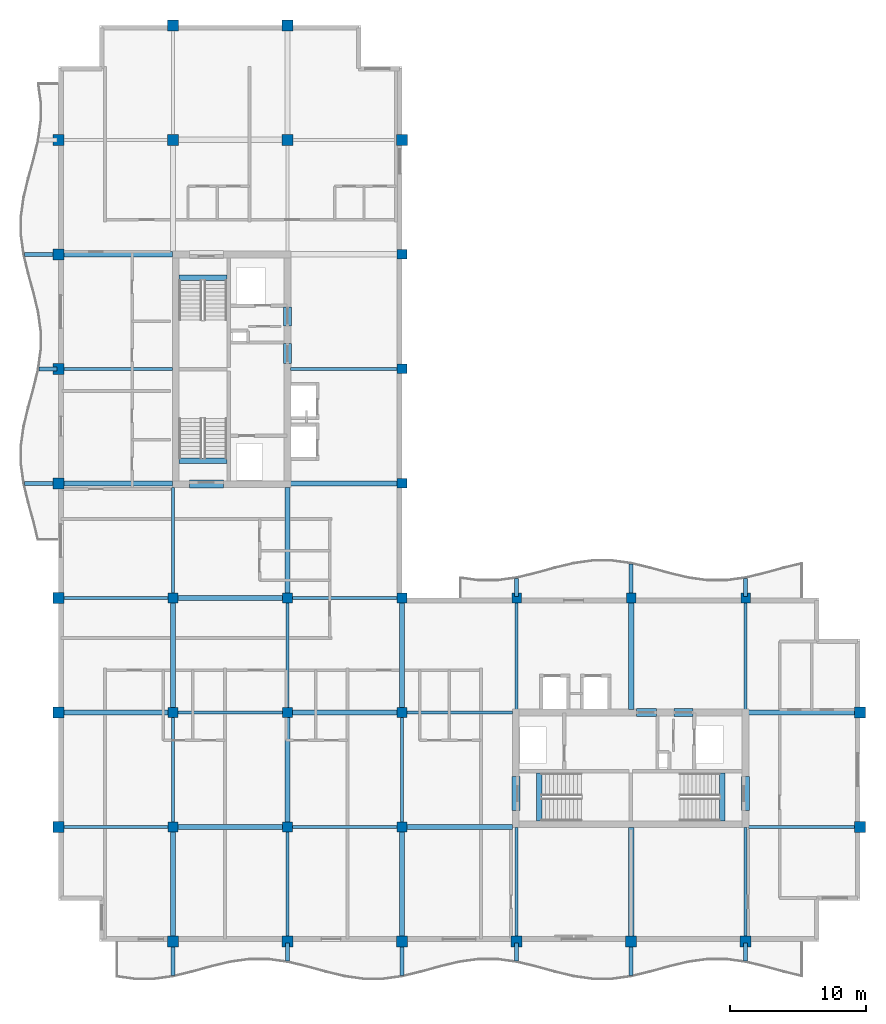
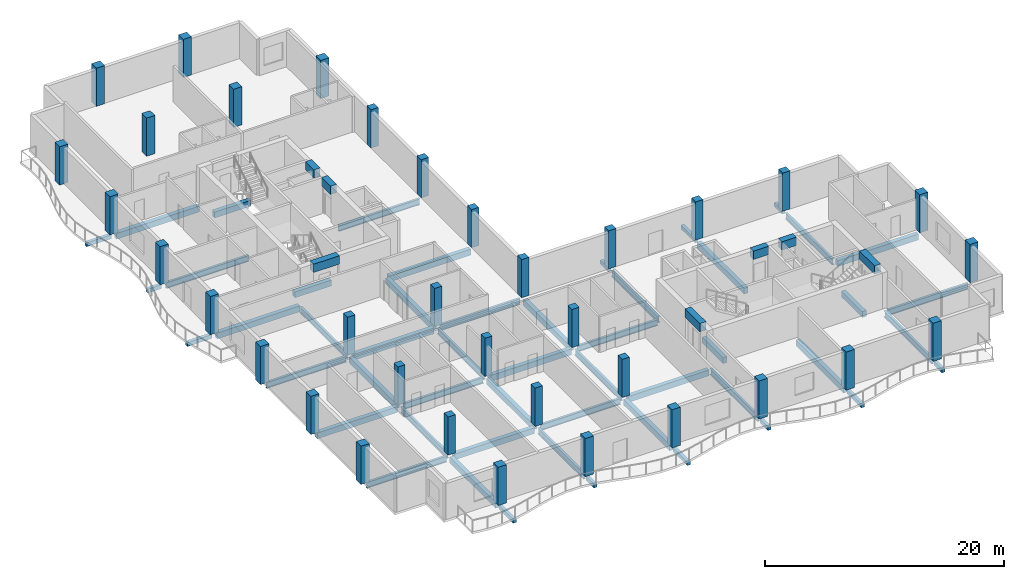
# One storey, part 1 of 10: 58 beams, 35 columns.
"""IFC4 building model written with IfcOpenShell, lengths in metres."""

from ifc_helpers import new_model, si_unit, direction, frame, origin, origin_2d, place, context, subcontext, project, spatial, rectangle, i_section, extrude, material, material_profile, profile_set, type_object, element, save


model = new_model("IFC4")

# Units and contexts
model_context = context("Model", 3, precision=1e-05, world=origin(), true_north=direction((0.0, 1.0)))
body_context = subcontext(model_context, "Body", "Model", "MODEL_VIEW")
ifc_project = project(units=[si_unit("LENGTHUNIT", "METRE"), si_unit("AREAUNIT", "SQUARE_METRE"), si_unit("VOLUMEUNIT", "CUBIC_METRE"), si_unit("PLANEANGLEUNIT", "RADIAN"), si_unit("MASSUNIT", "GRAM", prefix="KILO")], contexts=[model_context])

# Site, building, storey
site_placement = place(None, origin())
site = spatial("IfcSite", under=ifc_project, at=site_placement, CompositionType="ELEMENT")
building_placement = place(site_placement, origin())
building = spatial("IfcBuilding", under=site, at=building_placement, Name="Koriwani Terraces Tower", CompositionType="ELEMENT")
storey_placement = place(building_placement, frame((0.0, 0.0, 304.699951171875)))
storey = spatial("IfcBuildingStorey", under=building, at=storey_placement, Name="L75", CompositionType="ELEMENT", Elevation=304.699951171875)

# Columns
ifc_material_1 = material(Name="Concrete C50/60", Category="concrete")
ifc_material_profile_1 = material_profile(ifc_material_1, rectangle(XDim=0.699951171875, YDim=0.699951171875, at=origin_2d()), Name="Concrete C50/60", Category="LoadBearing")
ifc_profile_set_1 = profile_set([ifc_material_profile_1], Name="Concrete C50/60")
column_type_1 = type_object("IfcColumnType", Name="COL_RC_700X700", PredefinedType="COLUMN", material=ifc_profile_set_1)
for number, where, z_axis, x_axis, name in (
    (1, (16.800048828125, 16.800048828125, 0.0), (0.0, 0.0, 1.0), (1.0, 0.0, 0.0), "L75 Column 3/C"),
    (2, (16.800048828125, 25.199951171875, 0.0), (0.0, 0.0, 1.0), (1.0, 0.0, 0.0), "L75 Column 3/D"),
    (3, (16.800048828125, 33.60009765625, 0.0), (0.0, 0.0, 1.0), (1.0, 0.0, 0.0), "L75 Column 3/E"),
    (4, (25.199951171875, 16.800048828125, 0.0), (0.0, 0.0, 1.0), (1.0, 0.0, 0.0), "L75 Column 4/C"),
    (5, (25.199951171875, 25.199951171875, 0.0), (0.0, 0.0, 1.0), (1.0, 0.0, 0.0), "L75 Column 4/D"),
    (6, (25.199951171875, 33.60009765625, 0.0), (0.0, 0.0, 1.0), (1.0, 0.0, 0.0), "L75 Column 4/E"),
    (7, (33.60009765625, 16.800048828125, 0.0), (0.0, 0.0, 1.0), (1.0, 0.0, 0.0), "L75 Column 5/C"),
    (8, (33.60009765625, 25.199951171875, 0.0), (0.0, 0.0, 1.0), (1.0, 0.0, 0.0), "L75 Column 5/D"),
    (9, (33.60009765625, 33.60009765625, 0.0), (0.0, 0.0, 1.0), (1.0, 0.0, 0.0), "L75 Column 5/E"),
    (10, (33.60009765625, 42.0, 0.0), (0.0, 0.0, 1.0), (1.0, 0.0, 0.0), "L75 Column 5/F"),
    (11, (33.60009765625, 50.39990234375, 0.0), (0.0, 0.0, 1.0), (1.0, 0.0, 0.0), "L75 Column 5/G"),
    (12, (33.60009765625, 58.800048828125, 0.0), (0.0, 0.0, 1.0), (1.0, 0.0, 0.0), "L75 Column 5/H"),
    (13, (42.0, 33.60009765625, 0.0), (0.0, 0.0, 1.0), (1.0, 0.0, 0.0), "L75 Column 6/E"),
    (14, (50.39990234375, 33.60009765625, 0.0), (0.0, 0.0, 1.0), (1.0, 0.0, 0.0), "L75 Column 7/E"),
    (15, (58.800048828125, 33.60009765625, 0.0), (0.0, 0.0, 1.0), (1.0, 0.0, 0.0), "L75 Column 8/E"),
):
    element("IfcColumn", number, at=place(storey_placement, frame(where, z_axis=z_axis, x_axis=x_axis)), inside=storey, type_object=column_type_1, Name=name, PredefinedType="COLUMN", context=body_context, shape_type="SweptSolid", body=[
        extrude(rectangle(XDim=0.699951171875, YDim=0.699951171875, at=origin_2d()), origin(), (0.0, 0.0, 1.0), 3.900146484375),
    ])
ifc_material_profile_2 = material_profile(ifc_material_1, rectangle(XDim=0.800048828125, YDim=0.800048828125, at=origin_2d()), Name="Concrete C50/60", Category="LoadBearing")
ifc_profile_set_2 = profile_set([ifc_material_profile_2], Name="Concrete C50/60")
column_type_2 = type_object("IfcColumnType", Name="COL_RC_800X800", PredefinedType="COLUMN", material=ifc_profile_set_2)
for number, where, z_axis, x_axis, name in (
    (16, (8.39990234375, 16.800048828125, 0.0), (0.0, 0.0, 1.0), (1.0, 0.0, 0.0), "L75 Column 2/C"),
    (17, (8.39990234375, 25.199951171875, 0.0), (0.0, 0.0, 1.0), (1.0, 0.0, 0.0), "L75 Column 2/D"),
    (18, (8.39990234375, 33.60009765625, 0.0), (0.0, 0.0, 1.0), (1.0, 0.0, 0.0), "L75 Column 2/E"),
    (19, (8.39990234375, 42.0, 0.0), (0.0, 0.0, 1.0), (1.0, 0.0, 0.0), "L75 Column 2/F"),
    (20, (8.39990234375, 50.39990234375, 0.0), (0.0, 0.0, 1.0), (1.0, 0.0, 0.0), "L75 Column 2/G"),
    (21, (8.39990234375, 58.800048828125, 0.0), (0.0, 0.0, 1.0), (1.0, 0.0, 0.0), "L75 Column 2/H"),
    (22, (8.39990234375, 67.199951171875, 0.0), (0.0, 0.0, 1.0), (1.0, 0.0, 0.0), "L75 Column 2/I"),
    (23, (16.800048828125, 8.39990234375, 0.0), (0.0, 0.0, 1.0), (1.0, 0.0, 0.0), "L75 Column 3/B"),
    (24, (16.800048828125, 67.199951171875, 0.0), (0.0, 0.0, 1.0), (1.0, 0.0, 0.0), "L75 Column 3/I"),
    (25, (16.800048828125, 75.60009765625, 0.0), (0.0, 0.0, 1.0), (1.0, 0.0, 0.0), "L75 Column 3/J"),
    (26, (25.199951171875, 8.39990234375, 0.0), (0.0, 0.0, 1.0), (1.0, 0.0, 0.0), "L75 Column 4/B"),
    (27, (25.199951171875, 67.199951171875, 0.0), (0.0, 0.0, 1.0), (1.0, 0.0, 0.0), "L75 Column 4/I"),
    (28, (25.199951171875, 75.60009765625, 0.0), (0.0, 0.0, 1.0), (1.0, 0.0, 0.0), "L75 Column 4/J"),
    (29, (33.60009765625, 8.39990234375, 0.0), (0.0, 0.0, 1.0), (1.0, 0.0, 0.0), "L75 Column 5/B"),
    (30, (33.60009765625, 67.199951171875, 0.0), (0.0, 0.0, 1.0), (1.0, 0.0, 0.0), "L75 Column 5/I"),
    (31, (42.0, 8.39990234375, 0.0), (0.0, 0.0, 1.0), (1.0, 0.0, 0.0), "L75 Column 6/B"),
    (32, (50.39990234375, 8.39990234375, 0.0), (0.0, 0.0, 1.0), (1.0, 0.0, 0.0), "L75 Column 7/B"),
    (33, (58.800048828125, 8.39990234375, 0.0), (0.0, 0.0, 1.0), (1.0, 0.0, 0.0), "L75 Column 8/B"),
    (34, (67.199951171875, 16.800048828125, 0.0), (0.0, 0.0, 1.0), (1.0, 0.0, 0.0), "L75 Column 9/C"),
    (35, (67.199951171875, 25.199951171875, 0.0), (0.0, 0.0, 1.0), (1.0, 0.0, 0.0), "L75 Column 9/D"),
):
    element("IfcColumn", number, at=place(storey_placement, frame(where, z_axis=z_axis, x_axis=x_axis)), inside=storey, type_object=column_type_2, Name=name, PredefinedType="COLUMN", context=body_context, shape_type="SweptSolid", body=[
        extrude(rectangle(XDim=0.800048828125, YDim=0.800048828125, at=origin_2d()), origin(), (0.0, 0.0, 1.0), 3.900146484375),
    ])

# Beams
ifc_material_2 = material(Name="Concrete C40/50", Category="concrete")
ifc_material_profile_3 = material_profile(ifc_material_2, rectangle(XDim=0.300048828125, YDim=0.39990234375, at=origin_2d()), Name="Concrete C40/50", Category="LoadBearing")
ifc_profile_set_3 = profile_set([ifc_material_profile_3], Name="Concrete C40/50")
beam_type_1 = type_object("IfcBeamType", Name="BEAM_RC_BALCONY_RIB_300X400", PredefinedType="JOIST", material=ifc_profile_set_3)
beam_1_placement = place(storey_placement, frame((16.800048828125, 5.919677734375, -0.429931640625), z_axis=(0.0, 1.0, 0.0), x_axis=(-1.0, 0.0, 0.0)))
element("IfcBeam", 36, at=beam_1_placement, inside=storey, type_object=beam_type_1, Name="L75 Balcony Bracket Rib S-1", PredefinedType="JOIST", context=body_context, shape_type="SweptSolid", body=[
    extrude(rectangle(XDim=0.300048828125, YDim=0.39990234375, at=origin_2d()), origin(), (0.0, 0.0, 1.0), 2.38037109375),
])
beam_2_placement = place(storey_placement, frame((25.199951171875, 6.980224609375, -0.429931640625), z_axis=(0.0, 1.0, 0.0), x_axis=(-1.0, 0.0, 0.0)))
element("IfcBeam", 37, at=beam_2_placement, inside=storey, type_object=beam_type_1, Name="L75 Balcony Bracket Rib S-2", PredefinedType="JOIST", context=body_context, shape_type="SweptSolid", body=[
    extrude(rectangle(XDim=0.300048828125, YDim=0.39990234375, at=origin_2d()), origin(), (0.0, 0.0, 1.0), 1.31982421875),
])
beam_3_placement = place(storey_placement, frame((33.60009765625, 5.919677734375, -0.429931640625), z_axis=(0.0, 1.0, 0.0), x_axis=(-1.0, 0.0, 0.0)))
element("IfcBeam", 38, at=beam_3_placement, inside=storey, type_object=beam_type_1, Name="L75 Balcony Bracket Rib S-3", PredefinedType="JOIST", context=body_context, shape_type="SweptSolid", body=[
    extrude(rectangle(XDim=0.300048828125, YDim=0.39990234375, at=origin_2d()), origin(), (0.0, 0.0, 1.0), 2.38037109375),
])
beam_4_placement = place(storey_placement, frame((42.0, 6.980224609375, -0.429931640625), z_axis=(0.0, 1.0, 0.0), x_axis=(-1.0, 0.0, 0.0)))
element("IfcBeam", 39, at=beam_4_placement, inside=storey, type_object=beam_type_1, Name="L75 Balcony Bracket Rib S-4", PredefinedType="JOIST", context=body_context, shape_type="SweptSolid", body=[
    extrude(rectangle(XDim=0.300048828125, YDim=0.39990234375, at=origin_2d()), origin(), (0.0, 0.0, 1.0), 1.31982421875),
])
beam_5_placement = place(storey_placement, frame((50.39990234375, 5.919677734375, -0.429931640625), z_axis=(0.0, 1.0, 0.0), x_axis=(-1.0, 0.0, 0.0)))
element("IfcBeam", 40, at=beam_5_placement, inside=storey, type_object=beam_type_1, Name="L75 Balcony Bracket Rib S-5", PredefinedType="JOIST", context=body_context, shape_type="SweptSolid", body=[
    extrude(rectangle(XDim=0.300048828125, YDim=0.39990234375, at=origin_2d()), origin(), (0.0, 0.0, 1.0), 2.38037109375),
])
beam_6_placement = place(storey_placement, frame((58.800048828125, 6.980224609375, -0.429931640625), z_axis=(0.0, 1.0, 0.0), x_axis=(-1.0, 0.0, 0.0)))
element("IfcBeam", 41, at=beam_6_placement, inside=storey, type_object=beam_type_1, Name="L75 Balcony Bracket Rib S-6", PredefinedType="JOIST", context=body_context, shape_type="SweptSolid", body=[
    extrude(rectangle(XDim=0.300048828125, YDim=0.39990234375, at=origin_2d()), origin(), (0.0, 0.0, 1.0), 1.31982421875),
])
beam_7_placement = place(storey_placement, frame((5.919677734375, 42.0, -0.429931640625), z_axis=(1.0, 0.0, 0.0), x_axis=(0.0, 1.0, 0.0)))
element("IfcBeam", 42, at=beam_7_placement, inside=storey, type_object=beam_type_1, Name="L75 Balcony Bracket Rib W-1", PredefinedType="JOIST", context=body_context, shape_type="SweptSolid", body=[
    extrude(rectangle(XDim=0.300048828125, YDim=0.39990234375, at=origin_2d()), origin(), (0.0, 0.0, 1.0), 2.38037109375),
])
beam_8_placement = place(storey_placement, frame((6.980224609375, 50.39990234375, -0.429931640625), z_axis=(1.0, 0.0, 0.0), x_axis=(0.0, 1.0, 0.0)))
element("IfcBeam", 43, at=beam_8_placement, inside=storey, type_object=beam_type_1, Name="L75 Balcony Bracket Rib W-2", PredefinedType="JOIST", context=body_context, shape_type="SweptSolid", body=[
    extrude(rectangle(XDim=0.300048828125, YDim=0.39990234375, at=origin_2d()), origin(), (0.0, 0.0, 1.0), 1.31982421875),
])
beam_9_placement = place(storey_placement, frame((5.919677734375, 58.800048828125, -0.429931640625), z_axis=(1.0, 0.0, 0.0), x_axis=(0.0, 1.0, 0.0)))
element("IfcBeam", 44, at=beam_9_placement, inside=storey, type_object=beam_type_1, Name="L75 Balcony Bracket Rib W-3", PredefinedType="JOIST", context=body_context, shape_type="SweptSolid", body=[
    extrude(rectangle(XDim=0.300048828125, YDim=0.39990234375, at=origin_2d()), origin(), (0.0, 0.0, 1.0), 2.38037109375),
])
beam_10_placement = place(storey_placement, frame((42.0, 33.699951171875, -0.429931640625), z_axis=(0.0, 1.0, 0.0), x_axis=(-1.0, 0.0, 0.0)))
element("IfcBeam", 45, at=beam_10_placement, inside=storey, type_object=beam_type_1, Name="L75 Balcony Bracket Rib NE-1", PredefinedType="JOIST", context=body_context, shape_type="SweptSolid", body=[
    extrude(rectangle(XDim=0.300048828125, YDim=0.39990234375, at=origin_2d()), origin(), (0.0, 0.0, 1.0), 1.31982421875),
])
beam_11_placement = place(storey_placement, frame((50.39990234375, 33.699951171875, -0.429931640625), z_axis=(0.0, 1.0, 0.0), x_axis=(-1.0, 0.0, 0.0)))
element("IfcBeam", 46, at=beam_11_placement, inside=storey, type_object=beam_type_1, Name="L75 Balcony Bracket Rib NE-2", PredefinedType="JOIST", context=body_context, shape_type="SweptSolid", body=[
    extrude(rectangle(XDim=0.300048828125, YDim=0.39990234375, at=origin_2d()), origin(), (0.0, 0.0, 1.0), 2.38037109375),
])
beam_12_placement = place(storey_placement, frame((58.800048828125, 33.699951171875, -0.429931640625), z_axis=(0.0, 1.0, 0.0), x_axis=(-1.0, 0.0, 0.0)))
element("IfcBeam", 47, at=beam_12_placement, inside=storey, type_object=beam_type_1, Name="L75 Balcony Bracket Rib NE-3", PredefinedType="JOIST", context=body_context, shape_type="SweptSolid", body=[
    extrude(rectangle(XDim=0.300048828125, YDim=0.39990234375, at=origin_2d()), origin(), (0.0, 0.0, 1.0), 1.31982421875),
])
ifc_material_profile_4 = material_profile(ifc_material_1, rectangle(XDim=0.60009765625, YDim=0.85009765625, at=origin_2d()), Name="Concrete C50/60", Category="LoadBearing")
ifc_profile_set_4 = profile_set([ifc_material_profile_4], Name="Concrete C50/60")
beam_type_2 = type_object("IfcBeamType", Name="BEAM_RC_COUPLING_600X850", PredefinedType="LINTEL", material=ifc_profile_set_4)
beam_13_placement = place(storey_placement, frame((25.199951171875, 50.800048828125, 3.2451171875), z_axis=(0.0, 1.0, 0.0), x_axis=(-1.0, 0.0, 0.0)))
element("IfcBeam", 48, at=beam_13_placement, inside=storey, type_object=beam_type_2, Name="L75 Core Coupling Lintel Beam WE1", PredefinedType="LINTEL", context=body_context, shape_type="SweptSolid", body=[
    extrude(rectangle(XDim=0.60009765625, YDim=0.85009765625, at=origin_2d()), origin(), (0.0, 0.0, 1.0), 1.47998046875),
])
beam_14_placement = place(storey_placement, frame((25.199951171875, 53.550048828125, 3.2451171875), z_axis=(0.0, 1.0, 0.0), x_axis=(-1.0, 0.0, 0.0)))
element("IfcBeam", 49, at=beam_14_placement, inside=storey, type_object=beam_type_2, Name="L75 Core Coupling Lintel Beam WE2", PredefinedType="LINTEL", context=body_context, shape_type="SweptSolid", body=[
    extrude(rectangle(XDim=0.60009765625, YDim=0.85009765625, at=origin_2d()), origin(), (0.0, 0.0, 1.0), 1.39990234375),
])
beam_15_placement = place(storey_placement, frame((18.0, 41.949951171875, 3.2451171875), z_axis=(1.0, 0.0, 0.0), x_axis=(0.0, 1.0, 0.0)))
element("IfcBeam", 50, at=beam_15_placement, inside=storey, type_object=beam_type_2, Name="L75 Core Coupling Lintel Beam WS", PredefinedType="LINTEL", context=body_context, shape_type="SweptSolid", body=[
    extrude(rectangle(XDim=0.60009765625, YDim=0.85009765625, at=origin_2d()), origin(), (0.0, 0.0, 1.0), 2.5),
])
beam_16_placement = place(storey_placement, frame((50.800048828125, 25.199951171875, 3.2451171875), z_axis=(1.0, 0.0, 0.0), x_axis=(0.0, 1.0, 0.0)))
element("IfcBeam", 51, at=beam_16_placement, inside=storey, type_object=beam_type_2, Name="L75 Core Coupling Lintel Beam EN1", PredefinedType="LINTEL", context=body_context, shape_type="SweptSolid", body=[
    extrude(rectangle(XDim=0.60009765625, YDim=0.85009765625, at=origin_2d()), origin(), (0.0, 0.0, 1.0), 1.47998046875),
])
beam_17_placement = place(storey_placement, frame((53.550048828125, 25.199951171875, 3.2451171875), z_axis=(1.0, 0.0, 0.0), x_axis=(0.0, 1.0, 0.0)))
element("IfcBeam", 52, at=beam_17_placement, inside=storey, type_object=beam_type_2, Name="L75 Core Coupling Lintel Beam EN2", PredefinedType="LINTEL", context=body_context, shape_type="SweptSolid", body=[
    extrude(rectangle(XDim=0.60009765625, YDim=0.85009765625, at=origin_2d()), origin(), (0.0, 0.0, 1.0), 1.39990234375),
])
for number, where, z_axis, x_axis, name in (
    (53, (41.949951171875, 18.0, 3.2451171875), (0.0, 1.0, 0.0), (-1.0, 0.0, 0.0), "L75 Core Coupling Lintel Beam EW"),
    (54, (58.800048828125, 18.0, 3.2451171875), (0.0, 1.0, 0.0), (-1.0, 0.0, 0.0), "L75 Core Coupling Lintel Beam EE"),
):
    element("IfcBeam", number, at=place(storey_placement, frame(where, z_axis=z_axis, x_axis=x_axis)), inside=storey, type_object=beam_type_2, Name=name, PredefinedType="LINTEL", context=body_context, shape_type="SweptSolid", body=[
        extrude(rectangle(XDim=0.60009765625, YDim=0.85009765625, at=origin_2d()), origin(), (0.0, 0.0, 1.0), 2.5),
    ])
ifc_material_profile_5 = material_profile(ifc_material_2, rectangle(XDim=0.39990234375, YDim=0.60009765625, at=origin_2d()), Name="Concrete C40/50", Category="LoadBearing")
ifc_profile_set_5 = profile_set([ifc_material_profile_5], Name="Concrete C40/50")
beam_type_3 = type_object("IfcBeamType", Name="BEAM_RC_GRID_400X600", PredefinedType="BEAM", material=ifc_profile_set_5)
for number, where, z_axis, x_axis, name in (
    (55, (17.25, 43.655029296875, -0.300048828125), (1.0, 0.0, 0.0), (0.0, 1.0, 0.0), "L75 Stairwell Header Trimmer Beam ST-W1"),
    (56, (17.25, 57.094970703125, -0.300048828125), (1.0, 0.0, 0.0), (0.0, 1.0, 0.0), "L75 Stairwell Header Trimmer Beam ST-W2"),
    (57, (43.655029296875, 17.25, -0.300048828125), (0.0, 1.0, 0.0), (-1.0, 0.0, 0.0), "L75 Stairwell Header Trimmer Beam ST-E1"),
    (58, (57.094970703125, 17.25, -0.300048828125), (0.0, 1.0, 0.0), (-1.0, 0.0, 0.0), "L75 Stairwell Header Trimmer Beam ST-E2"),
):
    element("IfcBeam", number, at=place(storey_placement, frame(where, z_axis=z_axis, x_axis=x_axis)), inside=storey, type_object=beam_type_3, Name=name, PredefinedType="BEAM", context=body_context, shape_type="SweptSolid", body=[
        extrude(rectangle(XDim=0.39990234375, YDim=0.60009765625, at=origin_2d()), origin(), (0.0, 0.0, 1.0), 3.5),
    ])
beam_18_placement = place(storey_placement, frame((17.1298828125, 16.800048828125, -0.530029296875), z_axis=(1.0, 0.0, 0.0), x_axis=(0.0, 1.0, 0.0)))
element("IfcBeam", 59, at=beam_18_placement, inside=storey, type_object=beam_type_3, Name="L75 Grid Beam C (16.8-25.2m)", PredefinedType="BEAM", context=body_context, shape_type="SweptSolid", body=[
    extrude(rectangle(XDim=0.39990234375, YDim=0.60009765625, at=origin_2d()), origin(), (0.0, 0.0, 1.0), 7.740234375),
])
beam_19_placement = place(storey_placement, frame((33.929931640625, 16.800048828125, -0.530029296875), z_axis=(1.0, 0.0, 0.0), x_axis=(0.0, 1.0, 0.0)))
element("IfcBeam", 60, at=beam_19_placement, inside=storey, type_object=beam_type_3, Name="L75 Grid Beam C (33.6-42.0m)", PredefinedType="BEAM", context=body_context, shape_type="SweptSolid", body=[
    extrude(rectangle(XDim=0.39990234375, YDim=0.60009765625, at=origin_2d()), origin(), (0.0, 0.0, 1.0), 7.7900390625),
])
beam_20_placement = place(storey_placement, frame((8.780029296875, 25.199951171875, -0.530029296875), z_axis=(1.0, 0.0, 0.0), x_axis=(0.0, 1.0, 0.0)))
element("IfcBeam", 61, at=beam_20_placement, inside=storey, type_object=beam_type_3, Name="L75 Grid Beam D (8.4-16.8m)", PredefinedType="BEAM", context=body_context, shape_type="SweptSolid", body=[
    extrude(rectangle(XDim=0.39990234375, YDim=0.60009765625, at=origin_2d()), origin(), (0.0, 0.0, 1.0), 7.68994140625),
])
beam_21_placement = place(storey_placement, frame((25.530029296875, 25.199951171875, -0.530029296875), z_axis=(1.0, 0.0, 0.0), x_axis=(0.0, 1.0, 0.0)))
element("IfcBeam", 62, at=beam_21_placement, inside=storey, type_object=beam_type_3, Name="L75 Grid Beam D (25.2-33.6m)", PredefinedType="BEAM", context=body_context, shape_type="SweptSolid", body=[
    extrude(rectangle(XDim=0.39990234375, YDim=0.60009765625, at=origin_2d()), origin(), (0.0, 0.0, 1.0), 7.739990234375),
])
beam_22_placement = place(storey_placement, frame((59.030029296875, 25.199951171875, -0.530029296875), z_axis=(1.0, 0.0, 0.0), x_axis=(0.0, 1.0, 0.0)))
element("IfcBeam", 63, at=beam_22_placement, inside=storey, type_object=beam_type_3, Name="L75 Grid Beam D (58.8-67.2m)", PredefinedType="BEAM", context=body_context, shape_type="SweptSolid", body=[
    extrude(rectangle(XDim=0.39990234375, YDim=0.60009765625, at=origin_2d()), origin(), (0.0, 0.0, 1.0), 7.7900390625),
])
beam_23_placement = place(storey_placement, frame((17.1298828125, 33.60009765625, -0.530029296875), z_axis=(1.0, 0.0, 0.0), x_axis=(0.0, 1.0, 0.0)))
element("IfcBeam", 64, at=beam_23_placement, inside=storey, type_object=beam_type_3, Name="L75 Grid Beam E (16.8-25.2m)", PredefinedType="BEAM", context=body_context, shape_type="SweptSolid", body=[
    extrude(rectangle(XDim=0.39990234375, YDim=0.60009765625, at=origin_2d()), origin(), (0.0, 0.0, 1.0), 7.740234375),
])
beam_24_placement = place(storey_placement, frame((8.780029296875, 42.0, -0.530029296875), z_axis=(1.0, 0.0, 0.0), x_axis=(0.0, 1.0, 0.0)))
element("IfcBeam", 65, at=beam_24_placement, inside=storey, type_object=beam_type_3, Name="L75 Grid Beam F (8.4-16.8m)", PredefinedType="BEAM", context=body_context, shape_type="SweptSolid", body=[
    extrude(rectangle(XDim=0.39990234375, YDim=0.60009765625, at=origin_2d()), origin(), (0.0, 0.0, 1.0), 7.989990234375),
])
beam_25_placement = place(storey_placement, frame((25.429931640625, 42.0, -0.530029296875), z_axis=(1.0, 0.0, 0.0), x_axis=(0.0, 1.0, 0.0)))
element("IfcBeam", 66, at=beam_25_placement, inside=storey, type_object=beam_type_3, Name="L75 Grid Beam F (25.2-33.6m)", PredefinedType="BEAM", context=body_context, shape_type="SweptSolid", body=[
    extrude(rectangle(XDim=0.39990234375, YDim=0.60009765625, at=origin_2d()), origin(), (0.0, 0.0, 1.0), 7.840087890625),
])
beam_26_placement = place(storey_placement, frame((8.780029296875, 58.800048828125, -0.530029296875), z_axis=(1.0, 0.0, 0.0), x_axis=(0.0, 1.0, 0.0)))
element("IfcBeam", 67, at=beam_26_placement, inside=storey, type_object=beam_type_3, Name="L75 Grid Beam H (8.4-16.8m)", PredefinedType="BEAM", context=body_context, shape_type="SweptSolid", body=[
    extrude(rectangle(XDim=0.39990234375, YDim=0.60009765625, at=origin_2d()), origin(), (0.0, 0.0, 1.0), 7.989990234375),
])
beam_27_placement = place(storey_placement, frame((16.800048828125, 8.780029296875, -0.530029296875), z_axis=(0.0, 1.0, 0.0), x_axis=(-1.0, 0.0, 0.0)))
element("IfcBeam", 68, at=beam_27_placement, inside=storey, type_object=beam_type_3, Name="L75 Grid Beam 3 (8.4-16.8m)", PredefinedType="BEAM", context=body_context, shape_type="SweptSolid", body=[
    extrude(rectangle(XDim=0.39990234375, YDim=0.60009765625, at=origin_2d()), origin(), (0.0, 0.0, 1.0), 7.68994140625),
])
beam_28_placement = place(storey_placement, frame((16.800048828125, 25.530029296875, -0.530029296875), z_axis=(0.0, 1.0, 0.0), x_axis=(-1.0, 0.0, 0.0)))
element("IfcBeam", 69, at=beam_28_placement, inside=storey, type_object=beam_type_3, Name="L75 Grid Beam 3 (25.2-33.6m)", PredefinedType="BEAM", context=body_context, shape_type="SweptSolid", body=[
    extrude(rectangle(XDim=0.39990234375, YDim=0.60009765625, at=origin_2d()), origin(), (0.0, 0.0, 1.0), 7.739990234375),
])
beam_29_placement = place(storey_placement, frame((25.199951171875, 17.1298828125, -0.530029296875), z_axis=(0.0, 1.0, 0.0), x_axis=(-1.0, 0.0, 0.0)))
element("IfcBeam", 70, at=beam_29_placement, inside=storey, type_object=beam_type_3, Name="L75 Grid Beam 4 (16.8-25.2m)", PredefinedType="BEAM", context=body_context, shape_type="SweptSolid", body=[
    extrude(rectangle(XDim=0.39990234375, YDim=0.60009765625, at=origin_2d()), origin(), (0.0, 0.0, 1.0), 7.740234375),
])
beam_30_placement = place(storey_placement, frame((25.199951171875, 33.929931640625, -0.530029296875), z_axis=(0.0, 1.0, 0.0), x_axis=(-1.0, 0.0, 0.0)))
element("IfcBeam", 71, at=beam_30_placement, inside=storey, type_object=beam_type_3, Name="L75 Grid Beam 4 (33.6-42.0m)", PredefinedType="BEAM", context=body_context, shape_type="SweptSolid", body=[
    extrude(rectangle(XDim=0.39990234375, YDim=0.60009765625, at=origin_2d()), origin(), (0.0, 0.0, 1.0), 7.7900390625),
])
beam_31_placement = place(storey_placement, frame((33.60009765625, 8.780029296875, -0.530029296875), z_axis=(0.0, 1.0, 0.0), x_axis=(-1.0, 0.0, 0.0)))
element("IfcBeam", 72, at=beam_31_placement, inside=storey, type_object=beam_type_3, Name="L75 Grid Beam 5 (8.4-16.8m)", PredefinedType="BEAM", context=body_context, shape_type="SweptSolid", body=[
    extrude(rectangle(XDim=0.39990234375, YDim=0.60009765625, at=origin_2d()), origin(), (0.0, 0.0, 1.0), 7.68994140625),
])
beam_32_placement = place(storey_placement, frame((33.60009765625, 25.530029296875, -0.530029296875), z_axis=(0.0, 1.0, 0.0), x_axis=(-1.0, 0.0, 0.0)))
element("IfcBeam", 73, at=beam_32_placement, inside=storey, type_object=beam_type_3, Name="L75 Grid Beam 5 (25.2-33.6m)", PredefinedType="BEAM", context=body_context, shape_type="SweptSolid", body=[
    extrude(rectangle(XDim=0.39990234375, YDim=0.60009765625, at=origin_2d()), origin(), (0.0, 0.0, 1.0), 7.739990234375),
])
beam_33_placement = place(storey_placement, frame((50.39990234375, 8.780029296875, -0.530029296875), z_axis=(0.0, 1.0, 0.0), x_axis=(-1.0, 0.0, 0.0)))
element("IfcBeam", 74, at=beam_33_placement, inside=storey, type_object=beam_type_3, Name="L75 Grid Beam 7 (8.4-16.8m)", PredefinedType="BEAM", context=body_context, shape_type="SweptSolid", body=[
    extrude(rectangle(XDim=0.39990234375, YDim=0.60009765625, at=origin_2d()), origin(), (0.0, 0.0, 1.0), 7.989990234375),
])
beam_34_placement = place(storey_placement, frame((50.39990234375, 25.429931640625, -0.530029296875), z_axis=(0.0, 1.0, 0.0), x_axis=(-1.0, 0.0, 0.0)))
element("IfcBeam", 75, at=beam_34_placement, inside=storey, type_object=beam_type_3, Name="L75 Grid Beam 7 (25.2-33.6m)", PredefinedType="BEAM", context=body_context, shape_type="SweptSolid", body=[
    extrude(rectangle(XDim=0.39990234375, YDim=0.60009765625, at=origin_2d()), origin(), (0.0, 0.0, 1.0), 7.840087890625),
])
ifc_material_3 = material(Name="Steel ASTM A572 Grade 50", Category="steel")
ifc_material_profile_6 = material_profile(ifc_material_3, i_section(OverallWidth=0.22900390625, OverallDepth=0.611083984375, WebThickness=0.0126953125, FlangeThickness=0.022216796875, at=origin_2d()), Name="Steel ASTM A572 Grade 50", Category="LoadBearing")
ifc_profile_set_6 = profile_set([ifc_material_profile_6], Name="Steel ASTM A572 Grade 50")
beam_type_4 = type_object("IfcBeamType", Name="STEEL_BEAM_W610X155", PredefinedType="BEAM", material=ifc_profile_set_6)
beam_35_placement = place(storey_placement, frame((8.780029296875, 16.800048828125, -0.535400390625), z_axis=(1.0, 0.0, 0.0), x_axis=(0.0, 1.0, 0.0)))
element("IfcBeam", 76, at=beam_35_placement, inside=storey, type_object=beam_type_4, Name="L75 Grid Beam C (8.4-16.8m)", PredefinedType="BEAM", context=body_context, shape_type="SweptSolid", body=[
    extrude(i_section(OverallWidth=0.22900390625, OverallDepth=0.611083984375, WebThickness=0.0126953125, FlangeThickness=0.022216796875, at=origin_2d()), origin(), (0.0, 0.0, 1.0), 7.68994140625),
])
beam_36_placement = place(storey_placement, frame((25.530029296875, 16.800048828125, -0.535400390625), z_axis=(1.0, 0.0, 0.0), x_axis=(0.0, 1.0, 0.0)))
element("IfcBeam", 77, at=beam_36_placement, inside=storey, type_object=beam_type_4, Name="L75 Grid Beam C (25.2-33.6m)", PredefinedType="BEAM", context=body_context, shape_type="SweptSolid", body=[
    extrude(i_section(OverallWidth=0.22900390625, OverallDepth=0.611083984375, WebThickness=0.0126953125, FlangeThickness=0.022216796875, at=origin_2d()), origin(), (0.0, 0.0, 1.0), 7.739990234375),
])
beam_37_placement = place(storey_placement, frame((59.030029296875, 16.800048828125, -0.535400390625), z_axis=(1.0, 0.0, 0.0), x_axis=(0.0, 1.0, 0.0)))
element("IfcBeam", 78, at=beam_37_placement, inside=storey, type_object=beam_type_4, Name="L75 Grid Beam C (58.8-67.2m)", PredefinedType="BEAM", context=body_context, shape_type="SweptSolid", body=[
    extrude(i_section(OverallWidth=0.22900390625, OverallDepth=0.611083984375, WebThickness=0.0126953125, FlangeThickness=0.022216796875, at=origin_2d()), origin(), (0.0, 0.0, 1.0), 7.7900390625),
])
beam_38_placement = place(storey_placement, frame((17.1298828125, 25.199951171875, -0.535400390625), z_axis=(1.0, 0.0, 0.0), x_axis=(0.0, 1.0, 0.0)))
element("IfcBeam", 79, at=beam_38_placement, inside=storey, type_object=beam_type_4, Name="L75 Grid Beam D (16.8-25.2m)", PredefinedType="BEAM", context=body_context, shape_type="SweptSolid", body=[
    extrude(i_section(OverallWidth=0.22900390625, OverallDepth=0.611083984375, WebThickness=0.0126953125, FlangeThickness=0.022216796875, at=origin_2d()), origin(), (0.0, 0.0, 1.0), 7.740234375),
])
beam_39_placement = place(storey_placement, frame((33.929931640625, 25.199951171875, -0.535400390625), z_axis=(1.0, 0.0, 0.0), x_axis=(0.0, 1.0, 0.0)))
element("IfcBeam", 80, at=beam_39_placement, inside=storey, type_object=beam_type_4, Name="L75 Grid Beam D (33.6-42.0m)", PredefinedType="BEAM", context=body_context, shape_type="SweptSolid", body=[
    extrude(i_section(OverallWidth=0.22900390625, OverallDepth=0.611083984375, WebThickness=0.0126953125, FlangeThickness=0.022216796875, at=origin_2d()), origin(), (0.0, 0.0, 1.0), 7.7900390625),
])
beam_40_placement = place(storey_placement, frame((8.780029296875, 33.60009765625, -0.535400390625), z_axis=(1.0, 0.0, 0.0), x_axis=(0.0, 1.0, 0.0)))
element("IfcBeam", 81, at=beam_40_placement, inside=storey, type_object=beam_type_4, Name="L75 Grid Beam E (8.4-16.8m)", PredefinedType="BEAM", context=body_context, shape_type="SweptSolid", body=[
    extrude(i_section(OverallWidth=0.22900390625, OverallDepth=0.611083984375, WebThickness=0.0126953125, FlangeThickness=0.022216796875, at=origin_2d()), origin(), (0.0, 0.0, 1.0), 7.68994140625),
])
beam_41_placement = place(storey_placement, frame((25.530029296875, 33.60009765625, -0.535400390625), z_axis=(1.0, 0.0, 0.0), x_axis=(0.0, 1.0, 0.0)))
element("IfcBeam", 82, at=beam_41_placement, inside=storey, type_object=beam_type_4, Name="L75 Grid Beam E (25.2-33.6m)", PredefinedType="BEAM", context=body_context, shape_type="SweptSolid", body=[
    extrude(i_section(OverallWidth=0.22900390625, OverallDepth=0.611083984375, WebThickness=0.0126953125, FlangeThickness=0.022216796875, at=origin_2d()), origin(), (0.0, 0.0, 1.0), 7.739990234375),
])
beam_42_placement = place(storey_placement, frame((8.780029296875, 50.39990234375, -0.535400390625), z_axis=(1.0, 0.0, 0.0), x_axis=(0.0, 1.0, 0.0)))
element("IfcBeam", 83, at=beam_42_placement, inside=storey, type_object=beam_type_4, Name="L75 Grid Beam G (8.4-16.8m)", PredefinedType="BEAM", context=body_context, shape_type="SweptSolid", body=[
    extrude(i_section(OverallWidth=0.22900390625, OverallDepth=0.611083984375, WebThickness=0.0126953125, FlangeThickness=0.022216796875, at=origin_2d()), origin(), (0.0, 0.0, 1.0), 7.989990234375),
])
beam_43_placement = place(storey_placement, frame((25.429931640625, 50.39990234375, -0.535400390625), z_axis=(1.0, 0.0, 0.0), x_axis=(0.0, 1.0, 0.0)))
element("IfcBeam", 84, at=beam_43_placement, inside=storey, type_object=beam_type_4, Name="L75 Grid Beam G (25.2-33.6m)", PredefinedType="BEAM", context=body_context, shape_type="SweptSolid", body=[
    extrude(i_section(OverallWidth=0.22900390625, OverallDepth=0.611083984375, WebThickness=0.0126953125, FlangeThickness=0.022216796875, at=origin_2d()), origin(), (0.0, 0.0, 1.0), 7.840087890625),
])
beam_44_placement = place(storey_placement, frame((16.800048828125, 17.1298828125, -0.535400390625), z_axis=(0.0, 1.0, 0.0), x_axis=(-1.0, 0.0, 0.0)))
element("IfcBeam", 85, at=beam_44_placement, inside=storey, type_object=beam_type_4, Name="L75 Grid Beam 3 (16.8-25.2m)", PredefinedType="BEAM", context=body_context, shape_type="SweptSolid", body=[
    extrude(i_section(OverallWidth=0.22900390625, OverallDepth=0.611083984375, WebThickness=0.0126953125, FlangeThickness=0.022216796875, at=origin_2d()), origin(), (0.0, 0.0, 1.0), 7.740234375),
])
beam_45_placement = place(storey_placement, frame((16.800048828125, 33.929931640625, -0.535400390625), z_axis=(0.0, 1.0, 0.0), x_axis=(-1.0, 0.0, 0.0)))
element("IfcBeam", 86, at=beam_45_placement, inside=storey, type_object=beam_type_4, Name="L75 Grid Beam 3 (33.6-42.0m)", PredefinedType="BEAM", context=body_context, shape_type="SweptSolid", body=[
    extrude(i_section(OverallWidth=0.22900390625, OverallDepth=0.611083984375, WebThickness=0.0126953125, FlangeThickness=0.022216796875, at=origin_2d()), origin(), (0.0, 0.0, 1.0), 7.7900390625),
])
beam_46_placement = place(storey_placement, frame((25.199951171875, 8.780029296875, -0.535400390625), z_axis=(0.0, 1.0, 0.0), x_axis=(-1.0, 0.0, 0.0)))
element("IfcBeam", 87, at=beam_46_placement, inside=storey, type_object=beam_type_4, Name="L75 Grid Beam 4 (8.4-16.8m)", PredefinedType="BEAM", context=body_context, shape_type="SweptSolid", body=[
    extrude(i_section(OverallWidth=0.22900390625, OverallDepth=0.611083984375, WebThickness=0.0126953125, FlangeThickness=0.022216796875, at=origin_2d()), origin(), (0.0, 0.0, 1.0), 7.68994140625),
])
beam_47_placement = place(storey_placement, frame((25.199951171875, 25.530029296875, -0.535400390625), z_axis=(0.0, 1.0, 0.0), x_axis=(-1.0, 0.0, 0.0)))
element("IfcBeam", 88, at=beam_47_placement, inside=storey, type_object=beam_type_4, Name="L75 Grid Beam 4 (25.2-33.6m)", PredefinedType="BEAM", context=body_context, shape_type="SweptSolid", body=[
    extrude(i_section(OverallWidth=0.22900390625, OverallDepth=0.611083984375, WebThickness=0.0126953125, FlangeThickness=0.022216796875, at=origin_2d()), origin(), (0.0, 0.0, 1.0), 7.739990234375),
])
beam_48_placement = place(storey_placement, frame((33.60009765625, 17.1298828125, -0.535400390625), z_axis=(0.0, 1.0, 0.0), x_axis=(-1.0, 0.0, 0.0)))
element("IfcBeam", 89, at=beam_48_placement, inside=storey, type_object=beam_type_4, Name="L75 Grid Beam 5 (16.8-25.2m)", PredefinedType="BEAM", context=body_context, shape_type="SweptSolid", body=[
    extrude(i_section(OverallWidth=0.22900390625, OverallDepth=0.611083984375, WebThickness=0.0126953125, FlangeThickness=0.022216796875, at=origin_2d()), origin(), (0.0, 0.0, 1.0), 7.740234375),
])
beam_49_placement = place(storey_placement, frame((42.0, 8.780029296875, -0.535400390625), z_axis=(0.0, 1.0, 0.0), x_axis=(-1.0, 0.0, 0.0)))
element("IfcBeam", 90, at=beam_49_placement, inside=storey, type_object=beam_type_4, Name="L75 Grid Beam 6 (8.4-16.8m)", PredefinedType="BEAM", context=body_context, shape_type="SweptSolid", body=[
    extrude(i_section(OverallWidth=0.22900390625, OverallDepth=0.611083984375, WebThickness=0.0126953125, FlangeThickness=0.022216796875, at=origin_2d()), origin(), (0.0, 0.0, 1.0), 7.989990234375),
])
beam_50_placement = place(storey_placement, frame((42.0, 25.429931640625, -0.535400390625), z_axis=(0.0, 1.0, 0.0), x_axis=(-1.0, 0.0, 0.0)))
element("IfcBeam", 91, at=beam_50_placement, inside=storey, type_object=beam_type_4, Name="L75 Grid Beam 6 (25.2-33.6m)", PredefinedType="BEAM", context=body_context, shape_type="SweptSolid", body=[
    extrude(i_section(OverallWidth=0.22900390625, OverallDepth=0.611083984375, WebThickness=0.0126953125, FlangeThickness=0.022216796875, at=origin_2d()), origin(), (0.0, 0.0, 1.0), 7.840087890625),
])
beam_51_placement = place(storey_placement, frame((58.800048828125, 8.780029296875, -0.535400390625), z_axis=(0.0, 1.0, 0.0), x_axis=(-1.0, 0.0, 0.0)))
element("IfcBeam", 92, at=beam_51_placement, inside=storey, type_object=beam_type_4, Name="L75 Grid Beam 8 (8.4-16.8m)", PredefinedType="BEAM", context=body_context, shape_type="SweptSolid", body=[
    extrude(i_section(OverallWidth=0.22900390625, OverallDepth=0.611083984375, WebThickness=0.0126953125, FlangeThickness=0.022216796875, at=origin_2d()), origin(), (0.0, 0.0, 1.0), 7.989990234375),
])
beam_52_placement = place(storey_placement, frame((58.800048828125, 25.429931640625, -0.535400390625), z_axis=(0.0, 1.0, 0.0), x_axis=(-1.0, 0.0, 0.0)))
element("IfcBeam", 93, at=beam_52_placement, inside=storey, type_object=beam_type_4, Name="L75 Grid Beam 8 (25.2-33.6m)", PredefinedType="BEAM", context=body_context, shape_type="SweptSolid", body=[
    extrude(i_section(OverallWidth=0.22900390625, OverallDepth=0.611083984375, WebThickness=0.0126953125, FlangeThickness=0.022216796875, at=origin_2d()), origin(), (0.0, 0.0, 1.0), 7.840087890625),
])

save(model, "model.ifc")
